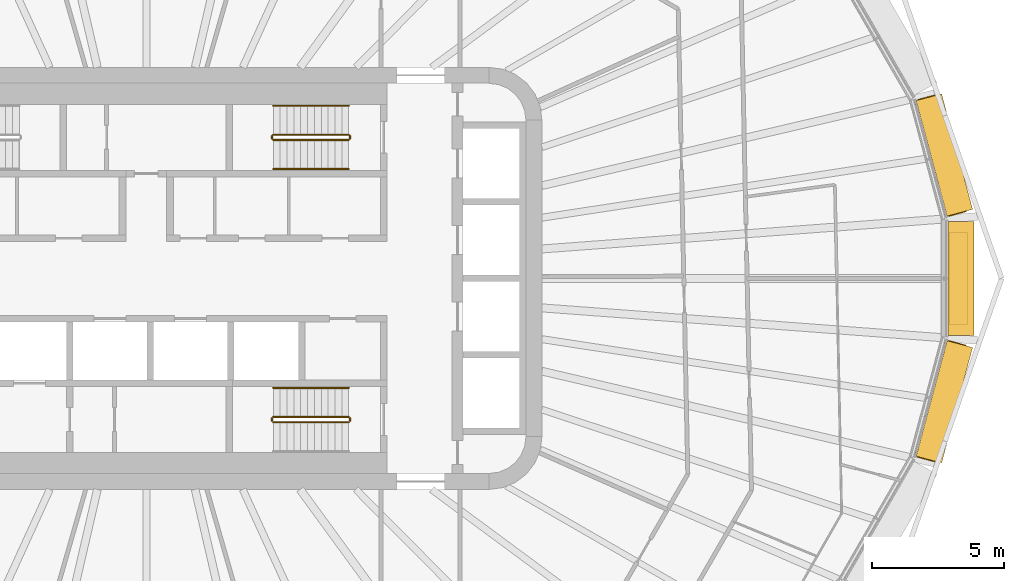
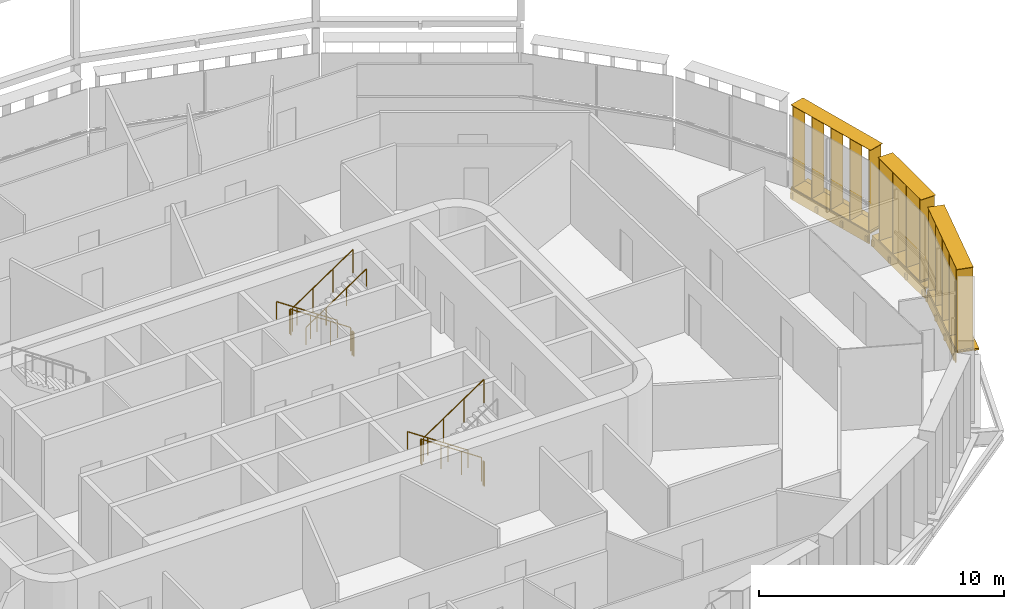
# One storey, part 20 of 22: 11 railings, 6 shading devices.
"""IFC4 building model written with IfcOpenShell, lengths in metres."""

from ifc_helpers import new_model, si_unit, direction, frame, origin, origin_2d, place, context, subcontext, project, spatial, rectangle, circle, extrude, material, type_object, element, save


model = new_model("IFC4")

# Units and contexts
model_context = context("Model", 3, precision=1e-05, world=origin(), true_north=direction((0.0, 1.0)))
body_context = subcontext(model_context, "Body", "Model", "MODEL_VIEW")
ifc_project = project(units=[si_unit("LENGTHUNIT", "METRE"), si_unit("AREAUNIT", "SQUARE_METRE"), si_unit("VOLUMEUNIT", "CUBIC_METRE"), si_unit("PLANEANGLEUNIT", "RADIAN"), si_unit("MASSUNIT", "GRAM", prefix="KILO")], contexts=[model_context])

# Site, building, storey
site_placement = place(None, origin())
site = spatial("IfcSite", under=ifc_project, at=site_placement, CompositionType="ELEMENT")
building_placement = place(site_placement, origin())
building = spatial("IfcBuilding", under=site, at=building_placement, Name="Sahrelin Media Tower", CompositionType="ELEMENT")
storey_placement = place(building_placement, frame((0.0, 0.0, 50.39990234375)))
storey = spatial("IfcBuildingStorey", under=building, at=storey_placement, Name="L07", CompositionType="ELEMENT", Elevation=50.39990234375)

# Shading devices
ifc_material_1 = material(Name="Champagne anodised aluminium 6063-T6", Category="aluminium")
shading_device_type_1 = type_object("IfcShadingDeviceType", Name="Fin cassette", PredefinedType="USERDEFINED", material=ifc_material_1)
placement_1 = place(storey_placement, frame((30.3671875, 0.0, 0.0), z_axis=(0.0, 0.0, 1.0), x_axis=(0.0, -1.0, 0.0)))
element("IfcShadingDevice", 1, at=placement_1, inside=storey, type_object=shading_device_type_1, Name="L07:FIN:L07-00", ObjectType="FIN", PredefinedType="USERDEFINED", context=body_context, shape_type="SweptSolid", body=[
    extrude(rectangle(XDim=3.5, YDim=0.699951171875, at=origin_2d()), frame((0.0, 0.419921875, 0.0)), (0.0, 0.0, 1.0), 0.02001953125),
    extrude(rectangle(XDim=3.5, YDim=0.699951171875, at=origin_2d()), frame((0.0, 0.419921875, 4.10009765625)), (0.0, 0.0, 1.0), 0.02001953125),
    extrude(rectangle(XDim=0.02001953125, YDim=0.699951171875, at=origin_2d()), frame((-1.64990234375, 0.419921875, 0.010009765625), z_axis=(0.0, 0.0, 1.0), x_axis=(1.0, 0.0, 0.0)), (0.0, 0.0, 1.0), 4.10009765625),
    extrude(rectangle(XDim=0.02001953125, YDim=0.699951171875, at=origin_2d()), frame((-0.550048828125, 0.419921875, 0.010009765625), z_axis=(0.0, 0.0, 1.0), x_axis=(1.0, 0.0, 0.0)), (0.0, 0.0, 1.0), 4.10009765625),
    extrude(rectangle(XDim=0.02001953125, YDim=0.699951171875, at=origin_2d()), frame((0.550048828125, 0.419921875, 0.010009765625), z_axis=(0.0, 0.0, 1.0), x_axis=(1.0, 0.0, 0.0)), (0.0, 0.0, 1.0), 4.10009765625),
    extrude(rectangle(XDim=0.02001953125, YDim=0.699951171875, at=origin_2d()), frame((1.64990234375, 0.419921875, 0.010009765625), z_axis=(0.0, 0.0, 1.0), x_axis=(1.0, 0.0, 0.0)), (0.0, 0.0, 1.0), 4.10009765625),
])
placement_2 = place(storey_placement, frame((29.755126953125, 4.5458984375, 0.0), z_axis=(0.0, 0.0, 1.0), x_axis=(0.258807731996, -0.965928857556, 0.0)))
element("IfcShadingDevice", 2, at=placement_2, inside=storey, type_object=shading_device_type_1, Name="L07:FIN:L07-01", ObjectType="FIN", PredefinedType="USERDEFINED", context=body_context, shape_type="SweptSolid", body=[
    extrude(rectangle(XDim=4.60009765625, YDim=0.699951171875, at=origin_2d()), frame((0.0, 0.419921875, 0.0)), (0.0, 0.0, 1.0), 0.02001953125),
    extrude(rectangle(XDim=4.60009765625, YDim=0.699951171875, at=origin_2d()), frame((0.0, 0.419921875, 4.10009765625)), (0.0, 0.0, 1.0), 0.02001953125),
    extrude(rectangle(XDim=0.02001953125, YDim=0.699951171875, at=origin_2d()), frame((-2.199951171875, 0.419921875, 0.010009765625), z_axis=(0.0, 0.0, 1.0), x_axis=(1.0, 0.0, 0.0)), (0.0, 0.0, 1.0), 4.10009765625),
    extrude(rectangle(XDim=0.02001953125, YDim=0.699951171875, at=origin_2d()), frame((-1.10009765625, 0.419921875, 0.010009765625), z_axis=(0.0, 0.0, 1.0), x_axis=(1.0, 0.0, 0.0)), (0.0, 0.0, 1.0), 4.10009765625),
    extrude(rectangle(XDim=0.02001953125, YDim=0.699951171875, at=origin_2d()), frame((0.0, 0.419921875, 0.010009765625), z_axis=(0.0, 0.0, 1.0), x_axis=(1.0, 0.0, 0.0)), (0.0, 0.0, 1.0), 4.10009765625),
    extrude(rectangle(XDim=0.02001953125, YDim=0.699951171875, at=origin_2d()), frame((1.10009765625, 0.419921875, 0.010009765625), z_axis=(0.0, 0.0, 1.0), x_axis=(1.0, 0.0, 0.0)), (0.0, 0.0, 1.0), 4.10009765625),
    extrude(rectangle(XDim=0.02001953125, YDim=0.699951171875, at=origin_2d()), frame((2.199951171875, 0.419921875, 0.010009765625), z_axis=(0.0, 0.0, 1.0), x_axis=(1.0, 0.0, 0.0)), (0.0, 0.0, 1.0), 4.10009765625),
])
placement_3 = place(storey_placement, frame((29.755126953125, -4.5458984375, 0.0), z_axis=(0.0, 0.0, 1.0), x_axis=(-0.258807731996, -0.965928857556, 0.0)))
element("IfcShadingDevice", 3, at=placement_3, inside=storey, type_object=shading_device_type_1, Name="L07:FIN:L07-23", ObjectType="FIN", PredefinedType="USERDEFINED", context=body_context, shape_type="SweptSolid", body=[
    extrude(rectangle(XDim=4.60009765625, YDim=0.699951171875, at=origin_2d()), frame((0.0, 0.419921875, 0.0)), (0.0, 0.0, 1.0), 0.02001953125),
    extrude(rectangle(XDim=4.60009765625, YDim=0.699951171875, at=origin_2d()), frame((0.0, 0.419921875, 4.10009765625)), (0.0, 0.0, 1.0), 0.02001953125),
    extrude(rectangle(XDim=0.02001953125, YDim=0.699951171875, at=origin_2d()), frame((-2.199951171875, 0.419921875, 0.010009765625), z_axis=(0.0, 0.0, 1.0), x_axis=(1.0, 0.0, 0.0)), (0.0, 0.0, 1.0), 4.10009765625),
    extrude(rectangle(XDim=0.02001953125, YDim=0.699951171875, at=origin_2d()), frame((-1.10009765625, 0.419921875, 0.010009765625), z_axis=(0.0, 0.0, 1.0), x_axis=(1.0, 0.0, 0.0)), (0.0, 0.0, 1.0), 4.10009765625),
    extrude(rectangle(XDim=0.02001953125, YDim=0.699951171875, at=origin_2d()), frame((0.0, 0.419921875, 0.010009765625), z_axis=(0.0, 0.0, 1.0), x_axis=(1.0, 0.0, 0.0)), (0.0, 0.0, 1.0), 4.10009765625),
    extrude(rectangle(XDim=0.02001953125, YDim=0.699951171875, at=origin_2d()), frame((1.10009765625, 0.419921875, 0.010009765625), z_axis=(0.0, 0.0, 1.0), x_axis=(1.0, 0.0, 0.0)), (0.0, 0.0, 1.0), 4.10009765625),
    extrude(rectangle(XDim=0.02001953125, YDim=0.699951171875, at=origin_2d()), frame((2.199951171875, 0.419921875, 0.010009765625), z_axis=(0.0, 0.0, 1.0), x_axis=(1.0, 0.0, 0.0)), (0.0, 0.0, 1.0), 4.10009765625),
])

# Railings
ifc_material_2 = material(Name="Steel S355", Category="steel")
railing_type_1 = type_object("IfcRailingType", Name="Stair guard 1200", PredefinedType="GUARDRAIL", material=ifc_material_2)
railing_1_placement = place(storey_placement, frame((7.675048828125, 5.449951171875, 0.175048828125)))
element("IfcRailing", 4, at=railing_1_placement, inside=storey, type_object=railing_type_1, Name="L07 ST3 stair guard 1", PredefinedType="GUARDRAIL", context=body_context, shape_type="SweptSolid", body=[
    extrude(circle(Radius=0.02392578125, at=origin_2d()), frame((0.0, 0.0, 1.17578125), z_axis=(-0.829590901723, 0.0, 0.558371682465), x_axis=(0.0, -1.0, 0.0)), (0.0, 0.0, 1.0), 3.447509765625),
    extrude(circle(Radius=0.02099609375, at=origin_2d()), origin(), (0.0, 0.0, 1.0), 1.15185546875),
    extrude(circle(Radius=0.02099609375, at=origin_2d()), frame((-0.953369140625, 0.0, 0.6416015625)), (0.0, 0.0, 1.0), 1.15185546875),
    extrude(circle(Radius=0.02099609375, at=origin_2d()), frame((-1.90673828125, 0.0, 1.283447265625)), (0.0, 0.0, 1.0), 1.15185546875),
    extrude(circle(Radius=0.02099609375, at=origin_2d()), frame((-2.860107421875, 0.0, 1.925048828125)), (0.0, 0.0, 1.0), 1.15185546875),
])
railing_2_placement = place(storey_placement, frame((4.764892578125, 5.39990234375, 2.10009765625)))
element("IfcRailing", 5, at=railing_2_placement, inside=storey, type_object=railing_type_1, Name="L07 ST3 stair guard 2", PredefinedType="GUARDRAIL", context=body_context, shape_type="SweptSolid", body=[
    extrude(circle(Radius=0.02392578125, at=origin_2d()), frame((0.0, 0.0, 1.17578125), z_axis=(0.0, -1.0, 0.0), x_axis=(1.0, 0.0, 0.0)), (0.0, 0.0, 1.0), 0.099853515625),
    extrude(circle(Radius=0.02099609375, at=origin_2d()), origin(), (0.0, 0.0, 1.0), 1.15185546875),
    extrude(circle(Radius=0.02099609375, at=origin_2d()), frame((0.0, -0.099853515625, 0.0)), (0.0, 0.0, 1.0), 1.15185546875),
])
railing_3_placement = place(storey_placement, frame((4.81494140625, 5.25, 2.275146484375)))
element("IfcRailing", 6, at=railing_3_placement, inside=storey, type_object=railing_type_1, Name="L07 ST3 stair guard 3", PredefinedType="GUARDRAIL", context=body_context, shape_type="SweptSolid", body=[
    extrude(circle(Radius=0.02392578125, at=origin_2d()), frame((0.0, 0.0, 1.17578125), z_axis=(0.829590901723, 0.0, 0.558371682465), x_axis=(0.0, 1.0, 0.0)), (0.0, 0.0, 1.0), 3.447509765625),
    extrude(circle(Radius=0.02099609375, at=origin_2d()), origin(), (0.0, 0.0, 1.0), 1.15185546875),
    extrude(circle(Radius=0.02099609375, at=origin_2d()), frame((0.953369140625, 0.0, 0.6416015625)), (0.0, 0.0, 1.0), 1.15185546875),
    extrude(circle(Radius=0.02099609375, at=origin_2d()), frame((1.90673828125, 0.0, 1.283447265625)), (0.0, 0.0, 1.0), 1.15185546875),
    extrude(circle(Radius=0.02099609375, at=origin_2d()), frame((2.860107421875, 0.0, 1.925048828125)), (0.0, 0.0, 1.0), 1.15185546875),
])
railing_4_placement = place(storey_placement, frame((7.72509765625, 5.39990234375, 0.0)))
element("IfcRailing", 7, at=railing_4_placement, inside=storey, type_object=railing_type_1, Name="L07 ST3 stair guard 4", PredefinedType="GUARDRAIL", context=body_context, shape_type="SweptSolid", body=[
    extrude(circle(Radius=0.02392578125, at=origin_2d()), frame((0.0, 0.0, 1.17578125), z_axis=(0.0, -1.0, 0.0), x_axis=(1.0, 0.0, 0.0)), (0.0, 0.0, 1.0), 0.099853515625),
    extrude(circle(Radius=0.02099609375, at=origin_2d()), origin(), (0.0, 0.0, 1.0), 1.15185546875),
    extrude(circle(Radius=0.02099609375, at=origin_2d()), frame((0.0, -0.099853515625, 0.0)), (0.0, 0.0, 1.0), 1.15185546875),
])
railing_5_placement = place(storey_placement, frame((7.675048828125, -5.25, 0.175048828125)))
element("IfcRailing", 8, at=railing_5_placement, inside=storey, type_object=railing_type_1, Name="L07 ST2 stair guard 1", PredefinedType="GUARDRAIL", context=body_context, shape_type="SweptSolid", body=[
    extrude(circle(Radius=0.02392578125, at=origin_2d()), frame((0.0, 0.0, 1.17578125), z_axis=(-0.829590901723, 0.0, 0.558371682465), x_axis=(0.0, -1.0, 0.0)), (0.0, 0.0, 1.0), 3.447509765625),
    extrude(circle(Radius=0.02099609375, at=origin_2d()), origin(), (0.0, 0.0, 1.0), 1.15185546875),
    extrude(circle(Radius=0.02099609375, at=origin_2d()), frame((-0.953369140625, 0.0, 0.6416015625)), (0.0, 0.0, 1.0), 1.15185546875),
    extrude(circle(Radius=0.02099609375, at=origin_2d()), frame((-1.90673828125, 0.0, 1.283447265625)), (0.0, 0.0, 1.0), 1.15185546875),
    extrude(circle(Radius=0.02099609375, at=origin_2d()), frame((-2.860107421875, 0.0, 1.925048828125)), (0.0, 0.0, 1.0), 1.15185546875),
])
railing_6_placement = place(storey_placement, frame((4.764892578125, -5.300048828125, 2.10009765625)))
element("IfcRailing", 9, at=railing_6_placement, inside=storey, type_object=railing_type_1, Name="L07 ST2 stair guard 2", PredefinedType="GUARDRAIL", context=body_context, shape_type="SweptSolid", body=[
    extrude(circle(Radius=0.02392578125, at=origin_2d()), frame((0.0, 0.0, 1.17578125), z_axis=(0.0, -1.0, 0.0), x_axis=(1.0, 0.0, 0.0)), (0.0, 0.0, 1.0), 0.099853515625),
    extrude(circle(Radius=0.02099609375, at=origin_2d()), origin(), (0.0, 0.0, 1.0), 1.15185546875),
    extrude(circle(Radius=0.02099609375, at=origin_2d()), frame((0.0, -0.099853515625, 0.0)), (0.0, 0.0, 1.0), 1.15185546875),
])
railing_7_placement = place(storey_placement, frame((4.81494140625, -5.449951171875, 2.275146484375)))
element("IfcRailing", 10, at=railing_7_placement, inside=storey, type_object=railing_type_1, Name="L07 ST2 stair guard 3", PredefinedType="GUARDRAIL", context=body_context, shape_type="SweptSolid", body=[
    extrude(circle(Radius=0.02392578125, at=origin_2d()), frame((0.0, 0.0, 1.17578125), z_axis=(0.829590901723, 0.0, 0.558371682465), x_axis=(0.0, 1.0, 0.0)), (0.0, 0.0, 1.0), 3.447509765625),
    extrude(circle(Radius=0.02099609375, at=origin_2d()), origin(), (0.0, 0.0, 1.0), 1.15185546875),
    extrude(circle(Radius=0.02099609375, at=origin_2d()), frame((0.953369140625, 0.0, 0.6416015625)), (0.0, 0.0, 1.0), 1.15185546875),
    extrude(circle(Radius=0.02099609375, at=origin_2d()), frame((1.90673828125, 0.0, 1.283447265625)), (0.0, 0.0, 1.0), 1.15185546875),
    extrude(circle(Radius=0.02099609375, at=origin_2d()), frame((2.860107421875, 0.0, 1.925048828125)), (0.0, 0.0, 1.0), 1.15185546875),
])
railing_8_placement = place(storey_placement, frame((7.72509765625, -5.300048828125, 0.0)))
element("IfcRailing", 11, at=railing_8_placement, inside=storey, type_object=railing_type_1, Name="L07 ST2 stair guard 4", PredefinedType="GUARDRAIL", context=body_context, shape_type="SweptSolid", body=[
    extrude(circle(Radius=0.02392578125, at=origin_2d()), frame((0.0, 0.0, 1.17578125), z_axis=(0.0, -1.0, 0.0), x_axis=(1.0, 0.0, 0.0)), (0.0, 0.0, 1.0), 0.099853515625),
    extrude(circle(Radius=0.02099609375, at=origin_2d()), origin(), (0.0, 0.0, 1.0), 1.15185546875),
    extrude(circle(Radius=0.02099609375, at=origin_2d()), frame((0.0, -0.099853515625, 0.0)), (0.0, 0.0, 1.0), 1.15185546875),
])
railing_type_2 = type_object("IfcRailingType", Name="Stair handrail 900", PredefinedType="HANDRAIL", material=ifc_material_2)
railing_9_placement = place(storey_placement, frame((7.675048828125, 6.550048828125, 0.175048828125)))
element("IfcRailing", 12, at=railing_9_placement, inside=storey, type_object=railing_type_2, Name="L07 ST3 stair handrail 1", PredefinedType="HANDRAIL", context=body_context, shape_type="SweptSolid", body=[
    extrude(circle(Radius=0.02392578125, at=origin_2d()), frame((0.0, 0.0, 0.8759765625), z_axis=(-0.829590901723, 0.0, 0.558371682465), x_axis=(0.0, -1.0, 0.0)), (0.0, 0.0, 1.0), 3.447509765625),
    extrude(circle(Radius=0.02099609375, at=origin_2d()), origin(), (0.0, 0.0, 1.0), 0.851806640625),
    extrude(circle(Radius=0.02099609375, at=origin_2d()), frame((-0.953369140625, 0.0, 0.6416015625)), (0.0, 0.0, 1.0), 0.851806640625),
    extrude(circle(Radius=0.02099609375, at=origin_2d()), frame((-1.90673828125, 0.0, 1.283447265625)), (0.0, 0.0, 1.0), 0.851806640625),
    extrude(circle(Radius=0.02099609375, at=origin_2d()), frame((-2.860107421875, 0.0, 1.925048828125)), (0.0, 0.0, 1.0), 0.851806640625),
])
railing_10_placement = place(storey_placement, frame((4.81494140625, 4.14990234375, 2.275146484375)))
element("IfcRailing", 13, at=railing_10_placement, inside=storey, type_object=railing_type_2, Name="L07 ST3 stair handrail 2", PredefinedType="HANDRAIL", context=body_context, shape_type="SweptSolid", body=[
    extrude(circle(Radius=0.02392578125, at=origin_2d()), frame((0.0, 0.0, 0.8759765625), z_axis=(0.829590901723, 0.0, 0.558371682465), x_axis=(0.0, 1.0, 0.0)), (0.0, 0.0, 1.0), 3.447509765625),
    extrude(circle(Radius=0.02099609375, at=origin_2d()), origin(), (0.0, 0.0, 1.0), 0.851806640625),
    extrude(circle(Radius=0.02099609375, at=origin_2d()), frame((0.953369140625, 0.0, 0.6416015625)), (0.0, 0.0, 1.0), 0.851806640625),
    extrude(circle(Radius=0.02099609375, at=origin_2d()), frame((1.90673828125, 0.0, 1.283447265625)), (0.0, 0.0, 1.0), 0.851806640625),
    extrude(circle(Radius=0.02099609375, at=origin_2d()), frame((2.860107421875, 0.0, 1.925048828125)), (0.0, 0.0, 1.0), 0.851806640625),
])
railing_11_placement = place(storey_placement, frame((7.675048828125, -4.14990234375, 0.175048828125)))
element("IfcRailing", 14, at=railing_11_placement, inside=storey, type_object=railing_type_2, Name="L07 ST2 stair handrail 1", PredefinedType="HANDRAIL", context=body_context, shape_type="SweptSolid", body=[
    extrude(circle(Radius=0.02392578125, at=origin_2d()), frame((0.0, 0.0, 0.8759765625), z_axis=(-0.829590901723, 0.0, 0.558371682465), x_axis=(0.0, -1.0, 0.0)), (0.0, 0.0, 1.0), 3.447509765625),
    extrude(circle(Radius=0.02099609375, at=origin_2d()), origin(), (0.0, 0.0, 1.0), 0.851806640625),
    extrude(circle(Radius=0.02099609375, at=origin_2d()), frame((-0.953369140625, 0.0, 0.6416015625)), (0.0, 0.0, 1.0), 0.851806640625),
    extrude(circle(Radius=0.02099609375, at=origin_2d()), frame((-1.90673828125, 0.0, 1.283447265625)), (0.0, 0.0, 1.0), 0.851806640625),
    extrude(circle(Radius=0.02099609375, at=origin_2d()), frame((-2.860107421875, 0.0, 1.925048828125)), (0.0, 0.0, 1.0), 0.851806640625),
])

# Shading devices
shading_device_type_2 = type_object("IfcShadingDeviceType", Name="Sunshade band", PredefinedType="USERDEFINED", material=ifc_material_1)
element("IfcShadingDevice", 15, at=placement_1, inside=storey, type_object=shading_device_type_2, Name="L07:SUN:L07-00", ObjectType="SUNSHADE", PredefinedType="USERDEFINED", context=body_context, shape_type="SweptSolid", body=[
    extrude(rectangle(XDim=4.322509765625, YDim=0.050048828125, at=origin_2d()), frame((0.0, 0.044921875, -0.55126953125)), (0.0, 0.0, 1.0), 0.471435546875),
    extrude(rectangle(XDim=4.322509765625, YDim=1.0, at=origin_2d()), frame((0.0, 0.52001953125, -0.080078125)), (0.0, 0.0, 1.0), 0.080078125),
    extrude(rectangle(XDim=0.10009765625, YDim=0.074951171875, at=origin_2d()), frame((-2.061279296875, -0.017578125, -0.47021484375)), (0.0, 0.0, 1.0), 0.300048828125),
    extrude(rectangle(XDim=0.10009765625, YDim=0.074951171875, at=origin_2d()), frame((-0.68701171875, -0.017578125, -0.47021484375)), (0.0, 0.0, 1.0), 0.300048828125),
    extrude(rectangle(XDim=0.10009765625, YDim=0.074951171875, at=origin_2d()), frame((0.68701171875, -0.017578125, -0.47021484375)), (0.0, 0.0, 1.0), 0.300048828125),
    extrude(rectangle(XDim=0.10009765625, YDim=0.074951171875, at=origin_2d()), frame((2.061279296875, -0.017578125, -0.47021484375)), (0.0, 0.0, 1.0), 0.300048828125),
])
element("IfcShadingDevice", 16, at=placement_2, inside=storey, type_object=shading_device_type_2, Name="L07:SUN:L07-01", ObjectType="SUNSHADE", PredefinedType="USERDEFINED", context=body_context, shape_type="SweptSolid", body=[
    extrude(rectangle(XDim=4.530517578125, YDim=0.050048828125, at=origin_2d()), frame((0.0, 0.044921875, -0.55126953125)), (0.0, 0.0, 1.0), 0.471435546875),
    extrude(rectangle(XDim=4.530517578125, YDim=1.0, at=origin_2d()), frame((0.0, 0.52001953125, -0.080078125)), (0.0, 0.0, 1.0), 0.080078125),
    extrude(rectangle(XDim=0.10009765625, YDim=0.074951171875, at=origin_2d()), frame((-2.165283203125, -0.017578125, -0.47021484375)), (0.0, 0.0, 1.0), 0.300048828125),
    extrude(rectangle(XDim=0.10009765625, YDim=0.074951171875, at=origin_2d()), frame((-0.7216796875, -0.017578125, -0.47021484375)), (0.0, 0.0, 1.0), 0.300048828125),
    extrude(rectangle(XDim=0.10009765625, YDim=0.074951171875, at=origin_2d()), frame((0.7216796875, -0.017578125, -0.47021484375)), (0.0, 0.0, 1.0), 0.300048828125),
    extrude(rectangle(XDim=0.10009765625, YDim=0.074951171875, at=origin_2d()), frame((2.165283203125, -0.017578125, -0.47021484375)), (0.0, 0.0, 1.0), 0.300048828125),
])
element("IfcShadingDevice", 17, at=placement_3, inside=storey, type_object=shading_device_type_2, Name="L07:SUN:L07-23", ObjectType="SUNSHADE", PredefinedType="USERDEFINED", context=body_context, shape_type="SweptSolid", body=[
    extrude(rectangle(XDim=4.530517578125, YDim=0.050048828125, at=origin_2d()), frame((0.0, 0.044921875, -0.55126953125)), (0.0, 0.0, 1.0), 0.471435546875),
    extrude(rectangle(XDim=4.530517578125, YDim=1.0, at=origin_2d()), frame((0.0, 0.52001953125, -0.080078125)), (0.0, 0.0, 1.0), 0.080078125),
    extrude(rectangle(XDim=0.10009765625, YDim=0.074951171875, at=origin_2d()), frame((-2.165283203125, -0.017578125, -0.47021484375)), (0.0, 0.0, 1.0), 0.300048828125),
    extrude(rectangle(XDim=0.10009765625, YDim=0.074951171875, at=origin_2d()), frame((-0.7216796875, -0.017578125, -0.47021484375)), (0.0, 0.0, 1.0), 0.300048828125),
    extrude(rectangle(XDim=0.10009765625, YDim=0.074951171875, at=origin_2d()), frame((0.7216796875, -0.017578125, -0.47021484375)), (0.0, 0.0, 1.0), 0.300048828125),
    extrude(rectangle(XDim=0.10009765625, YDim=0.074951171875, at=origin_2d()), frame((2.165283203125, -0.017578125, -0.47021484375)), (0.0, 0.0, 1.0), 0.300048828125),
])

save(model, "model.ifc")
